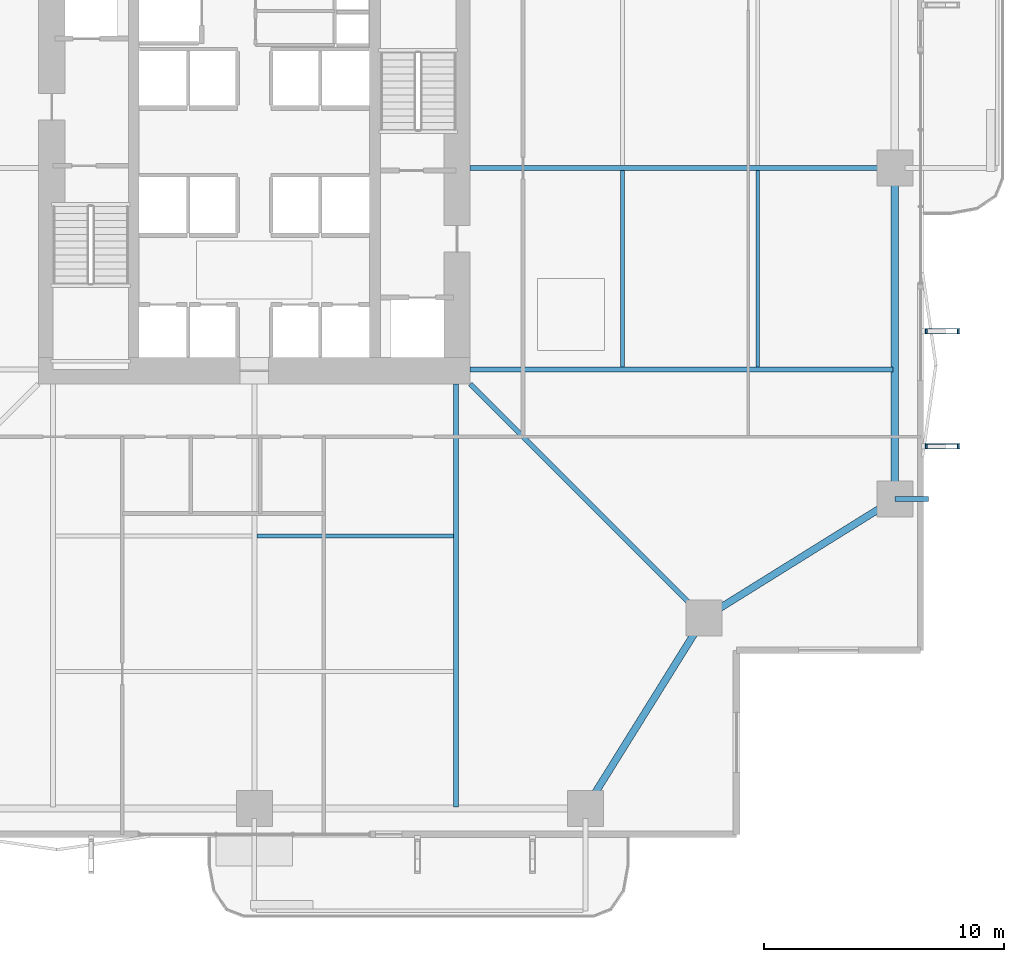
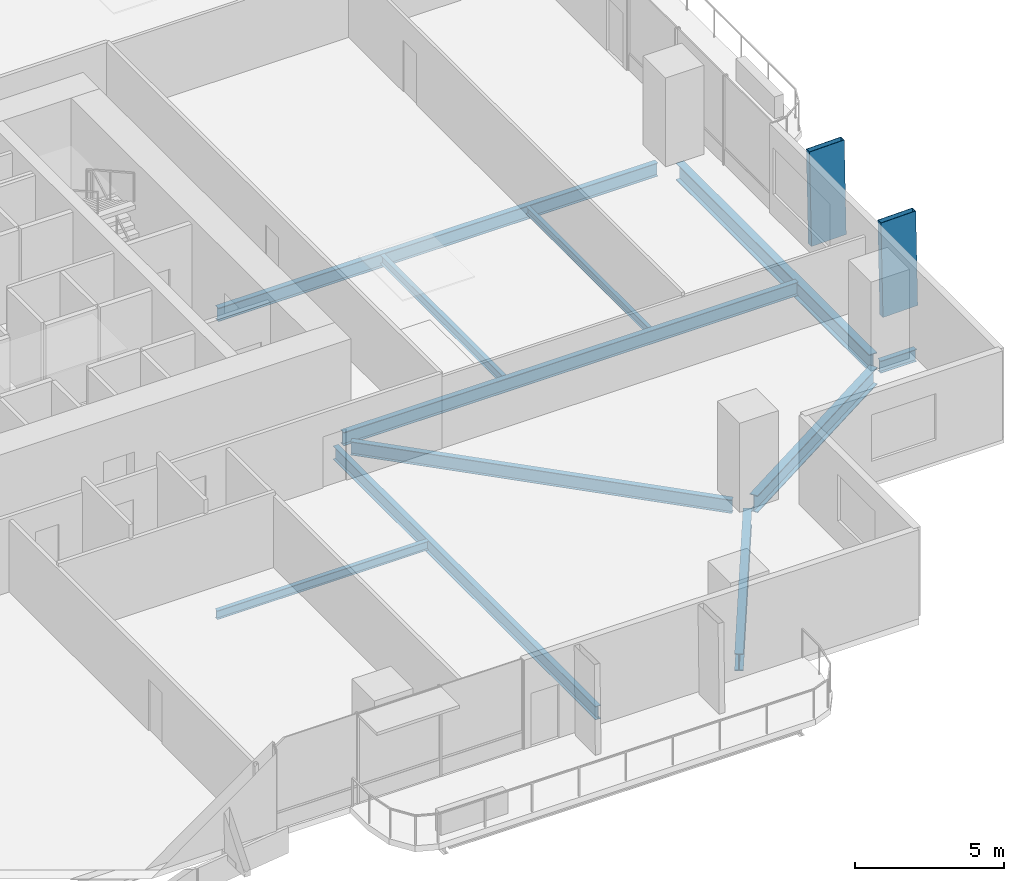
# One storey, part 7 of 24: 11 beams, 2 members.
"""IFC4 building model written with IfcOpenShell, lengths in metres."""

from ifc_helpers import new_model, si_unit, direction, frame, origin, origin_2d, place, context, subcontext, project, spatial, hollow_rectangle, i_section, extrude, material, material_profile, profile_set, type_object, element, save


model = new_model("IFC4")

# Units and contexts
model_context = context("Model", 3, precision=1e-05, world=origin(), true_north=direction((0.0, 1.0)))
body_context = subcontext(model_context, "Body", "Model", "MODEL_VIEW")
ifc_project = project(units=[si_unit("LENGTHUNIT", "METRE"), si_unit("AREAUNIT", "SQUARE_METRE"), si_unit("VOLUMEUNIT", "CUBIC_METRE"), si_unit("PLANEANGLEUNIT", "RADIAN"), si_unit("MASSUNIT", "GRAM", prefix="KILO")], contexts=[model_context])

# Site, building, storey
site_placement = place(None, origin())
site = spatial("IfcSite", under=ifc_project, at=site_placement, CompositionType="ELEMENT")
building_placement = place(site_placement, origin())
building = spatial("IfcBuilding", under=site, at=building_placement, Name="Belovzor Exchange Tower", CompositionType="ELEMENT")
storey_placement = place(building_placement, frame((0.0, 0.0, 80.699951171875)))
storey = spatial("IfcBuildingStorey", under=building, at=storey_placement, Name="L19", CompositionType="ELEMENT", Elevation=80.699951171875)

# Members
ifc_material_1 = material(Name="Extruded Architectural Terracotta on Steel S355 Carrier", Category="masonry")
ifc_material_profile_1 = material_profile(ifc_material_1, hollow_rectangle(XDim=0.219970703125, YDim=1.35009765625, WallThickness=0.013916015625, at=origin_2d()))
ifc_profile_set_1 = profile_set([ifc_material_profile_1], Name="Extruded Architectural Terracotta on Steel S355 Carrier")
member_type = type_object("IfcMemberType", Name="Base Arc Sweeping Terracotta Pylon Fin 1450", PredefinedType="USERDEFINED", material=ifc_profile_set_1)
for number, where, z_axis, x_axis, name in (
    (1, (57.528076171875, 17.199951171875, -0.25), (-0.020027281305, 0.0, 0.999799433888), (0.0, -1.0, 0.0), "FIN-TC145 Terracotta Facade Fin L19 E1"),
    (2, (57.528076171875, 22.0, -0.25), (-0.020027281305, 0.0, 0.999799433888), (0.0, -1.0, 0.0), "FIN-TC145 Terracotta Facade Fin L19 E2"),
):
    element("IfcMember", number, at=place(storey_placement, frame(where, z_axis=z_axis, x_axis=x_axis)), inside=storey, type_object=member_type, Name=name, ObjectType="FIN", PredefinedType="USERDEFINED", context=body_context, shape_type="SweptSolid", body=[
        extrude(hollow_rectangle(XDim=0.219970703125, YDim=1.35009765625, WallThickness=0.013916015625, at=origin_2d()), origin(), (0.0, 0.0, 1.0), 3.90087890625),
    ])

# Beams
ifc_material_2 = material(Name="Steel S355", Category="steel")
ifc_material_profile_2 = material_profile(ifc_material_2, i_section(OverallWidth=0.199951171875, OverallDepth=0.5, WebThickness=0.01025390625, FlangeThickness=0.01611328125, at=origin_2d()))
ifc_profile_set_2 = profile_set([ifc_material_profile_2], Name="Steel S355")
beam_type_1 = type_object("IfcBeamType", Name="Planted Balcony Cantilever Beam IPE 500", PredefinedType="BEAM", material=ifc_profile_set_2)
beam_1_placement = place(storey_placement, frame((55.5, 15.0, -0.5), z_axis=(1.0, 0.0, 0.0), x_axis=(0.0, 1.0, 0.0)))
element("IfcBeam", 3, at=beam_1_placement, inside=storey, type_object=beam_type_1, Name="BC-500 Planted Balcony Cantilever Beam IPE 500", PredefinedType="BEAM", context=body_context, shape_type="SweptSolid", body=[
    extrude(i_section(OverallWidth=0.199951171875, OverallDepth=0.5, WebThickness=0.01025390625, FlangeThickness=0.01611328125, at=origin_2d()), origin(), (0.0, 0.0, 1.0), 1.39990234375),
])
ifc_material_3 = material(Name="Steel S355", Category="steel")
ifc_material_profile_3 = material_profile(ifc_material_3, i_section(OverallWidth=0.169921875, OverallDepth=0.360107421875, WebThickness=0.008056640625, FlangeThickness=0.0126953125, at=origin_2d()))
ifc_profile_set_3 = profile_set([ifc_material_profile_3], Name="Steel S355")
beam_type_2 = type_object("IfcBeamType", Name="Secondary Infill Floor Joist IPE 360", PredefinedType="BEAM", material=ifc_profile_set_3)
beam_2_placement = place(storey_placement, frame((28.905029296875, 13.455078125, -0.429931640625), z_axis=(1.0, 0.0, 0.0), x_axis=(0.0, 1.0, 0.0)))
element("IfcBeam", 4, at=beam_2_placement, inside=storey, type_object=beam_type_2, Name="FJ-360 Secondary Infill Floor Joist IPE 360", PredefinedType="BEAM", context=body_context, shape_type="SweptSolid", body=[
    extrude(i_section(OverallWidth=0.169921875, OverallDepth=0.360107421875, WebThickness=0.008056640625, FlangeThickness=0.0126953125, at=origin_2d()), origin(), (0.0, 0.0, 1.0), 8.18994140625),
])
beam_3_placement = place(storey_placement, frame((44.14501953125, 20.5048828125, -0.429931640625), z_axis=(0.0, 1.0, 0.0), x_axis=(-1.0, 0.0, 0.0)))
element("IfcBeam", 5, at=beam_3_placement, inside=storey, type_object=beam_type_2, Name="FJ-360 Secondary Infill Floor Joist IPE 360", PredefinedType="BEAM", context=body_context, shape_type="SweptSolid", body=[
    extrude(i_section(OverallWidth=0.169921875, OverallDepth=0.360107421875, WebThickness=0.008056640625, FlangeThickness=0.0126953125, at=origin_2d()), origin(), (0.0, 0.0, 1.0), 8.190185546875),
])
ifc_material_4 = material(Name="Steel S355", Category="steel")
ifc_material_profile_4 = material_profile(ifc_material_4, i_section(OverallWidth=0.14990234375, OverallDepth=0.300048828125, WebThickness=0.007080078125, FlangeThickness=0.0107421875, at=origin_2d()))
ifc_profile_set_4 = profile_set([ifc_material_profile_4], Name="Steel S355")
beam_type_3 = type_object("IfcBeamType", Name="Secondary Trim Floor Joist IPE 300", PredefinedType="BEAM", material=ifc_profile_set_4)
beam_4_placement = place(storey_placement, frame((49.784912109375, 20.5048828125, -0.39990234375), z_axis=(0.0, 1.0, 0.0), x_axis=(-1.0, 0.0, 0.0)))
element("IfcBeam", 6, at=beam_4_placement, inside=storey, type_object=beam_type_3, Name="FJ-300 Secondary Trim Floor Joist IPE 300", PredefinedType="BEAM", context=body_context, shape_type="SweptSolid", body=[
    extrude(i_section(OverallWidth=0.14990234375, OverallDepth=0.300048828125, WebThickness=0.007080078125, FlangeThickness=0.0107421875, at=origin_2d()), origin(), (0.0, 0.0, 1.0), 8.190185546875),
])
ifc_material_5 = material(Name="Steel S355", Category="steel")
ifc_material_profile_5 = material_profile(ifc_material_5, i_section(OverallWidth=0.300048828125, OverallDepth=0.699951171875, WebThickness=0.01708984375, FlangeThickness=0.031982421875, at=origin_2d()))
ifc_profile_set_5 = profile_set([ifc_material_profile_5], Name="Steel S355")
beam_type_4 = type_object("IfcBeamType", Name="Zone 1 Primary Perimeter Girder HEB 700", PredefinedType="BEAM", material=ifc_profile_set_5)
for number, where, z_axis, x_axis, name in (
    (7, (42.818115234375, 2.449951171875, -0.599853515625), (0.528538629686, 0.848909251292, 0.0), (-0.848909251292, 0.528538629686, 0.0), "FG-Z1 Zone 1 Primary Perimeter Girder HEB 700"),
    (8, (47.89990234375, 10.26806640625, -0.599853515625), (0.848909251292, 0.528538629686, 0.0), (-0.528538629686, 0.848909251292, 0.0), "FG-Z1 Zone 1 Primary Perimeter Girder HEB 700"),
):
    element("IfcBeam", number, at=place(storey_placement, frame(where, z_axis=z_axis, x_axis=x_axis)), inside=storey, type_object=beam_type_4, Name=name, PredefinedType="BEAM", context=body_context, shape_type="SweptSolid", body=[
        extrude(i_section(OverallWidth=0.300048828125, OverallDepth=0.699951171875, WebThickness=0.01708984375, FlangeThickness=0.031982421875, at=origin_2d()), origin(), (0.0, 0.0, 1.0), 8.540283203125),
    ])
beam_5_placement = place(storey_placement, frame((55.5, 15.412109375, -0.599853515625), z_axis=(0.0, 1.0, 0.0), x_axis=(-1.0, 0.0, 0.0)))
element("IfcBeam", 9, at=beam_5_placement, inside=storey, type_object=beam_type_4, Name="FG-Z1 Zone 1 Primary Perimeter Girder HEB 700", PredefinedType="BEAM", context=body_context, shape_type="SweptSolid", body=[
    extrude(i_section(OverallWidth=0.300048828125, OverallDepth=0.699951171875, WebThickness=0.01708984375, FlangeThickness=0.031982421875, at=origin_2d()), origin(), (0.0, 0.0, 1.0), 12.974853515625),
])
ifc_material_6 = material(Name="Steel S355", Category="steel")
ifc_material_profile_6 = material_profile(ifc_material_6, i_section(OverallWidth=0.2099609375, OverallDepth=0.550048828125, WebThickness=0.010986328125, FlangeThickness=0.01708984375, at=origin_2d()))
ifc_profile_set_6 = profile_set([ifc_material_profile_6], Name="Steel S355")
beam_type_5 = type_object("IfcBeamType", Name="Zone 1 Radial Composite Floor Beam IPE 550", PredefinedType="BEAM", material=ifc_profile_set_6)
for number, where, z_axis, x_axis, name in (
    (10, (37.199951171875, 19.800048828125, -0.52490234375), (0.0, -1.0, 0.0), (1.0, 0.0, 0.0), "FB-550 Zone 1 Radial Composite Floor Beam IPE 550"),
    (11, (37.800048828125, 20.39990234375, -0.52490234375), (1.0, 0.0, 0.0), (0.0, 1.0, 0.0), "FB-550 Zone 1 Radial Composite Floor Beam IPE 550"),
):
    element("IfcBeam", number, at=place(storey_placement, frame(where, z_axis=z_axis, x_axis=x_axis)), inside=storey, type_object=beam_type_5, Name=name, PredefinedType="BEAM", context=body_context, shape_type="SweptSolid", body=[
        extrude(i_section(OverallWidth=0.2099609375, OverallDepth=0.550048828125, WebThickness=0.010986328125, FlangeThickness=0.01708984375, at=origin_2d()), origin(), (0.0, 0.0, 1.0), 17.625),
    ])
beam_6_placement = place(storey_placement, frame((37.800048828125, 28.800048828125, -0.52490234375), z_axis=(1.0, 0.0, 0.0), x_axis=(0.0, 1.0, 0.0)))
element("IfcBeam", 12, at=beam_6_placement, inside=storey, type_object=beam_type_5, Name="FB-550 Zone 1 Radial Composite Floor Beam IPE 550", PredefinedType="BEAM", context=body_context, shape_type="SweptSolid", body=[
    extrude(i_section(OverallWidth=0.2099609375, OverallDepth=0.550048828125, WebThickness=0.010986328125, FlangeThickness=0.01708984375, at=origin_2d()), origin(), (0.0, 0.0, 1.0), 17.0400390625),
])
beam_7_placement = place(storey_placement, frame((37.800048828125, 19.800048828125, -0.52490234375), z_axis=(0.707106781187, -0.707106781187, 0.0), x_axis=(0.707106781187, 0.707106781187, 0.0)))
element("IfcBeam", 13, at=beam_7_placement, inside=storey, type_object=beam_type_5, Name="FB-550 Zone 1 Radial Composite Floor Beam IPE 550", PredefinedType="BEAM", context=body_context, shape_type="SweptSolid", body=[
    extrude(i_section(OverallWidth=0.2099609375, OverallDepth=0.550048828125, WebThickness=0.010986328125, FlangeThickness=0.01708984375, at=origin_2d()), origin(), (0.0, 0.0, 1.0), 13.25830078125),
])

save(model, "model.ifc")
